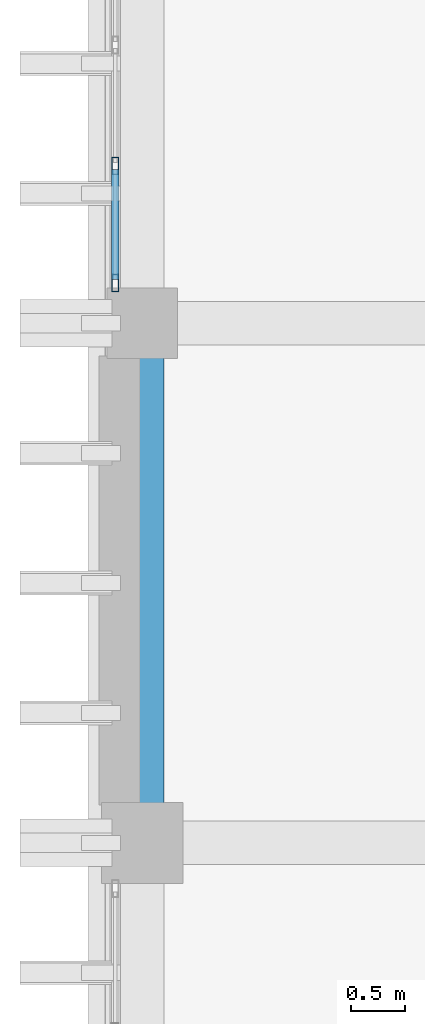
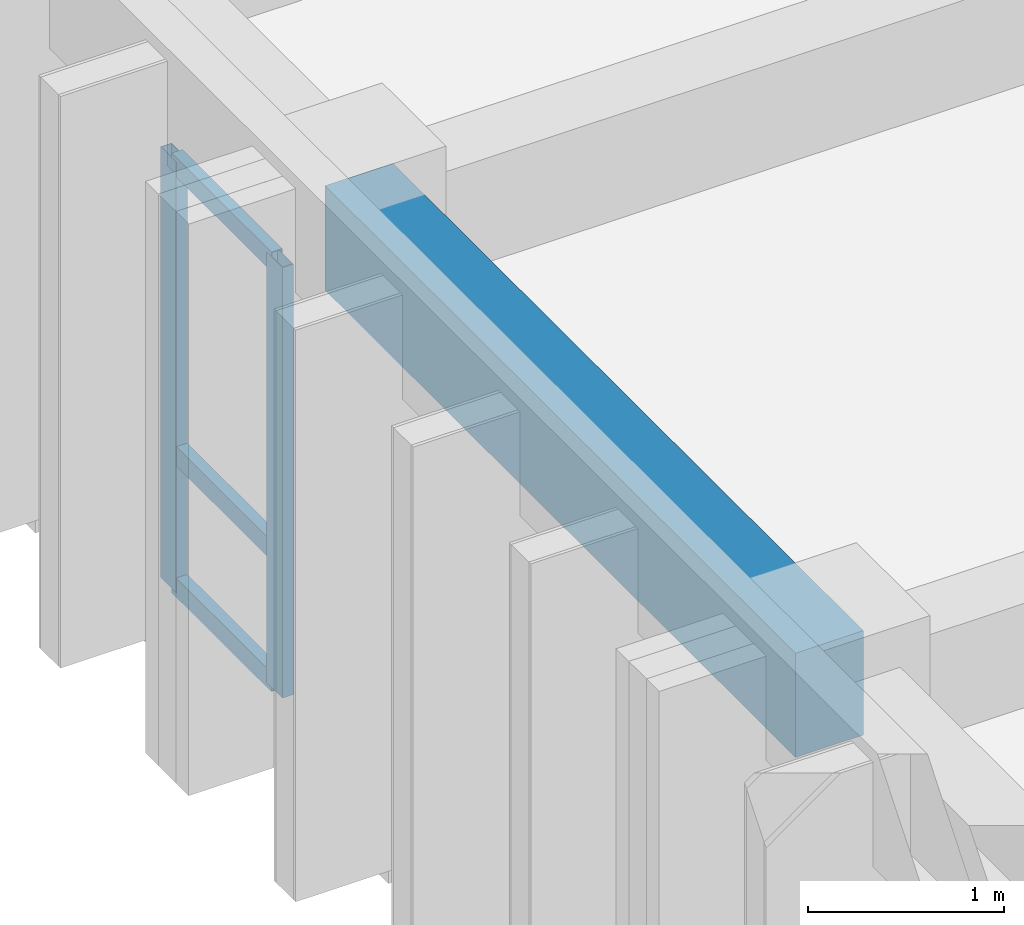
# One storey, part 42 of 64: 5 members, 1 beam, 1 element without a shape of its own.
"""IFC4 building model written with IfcOpenShell, lengths in metres."""

import ifcopenshell
import ifcopenshell.guid

model = None  # the IFC model being written
_history = None  # IfcOwnerHistory: only IFC2X3 demands one
_inside = {}  # id of a spatial element -> (the spatial element, [elements in it])
_under = {}  # id of a project, library or spatial element -> (it, [spatial elements below it])
_declared = {}  # id of a project -> (the project, [libraries it declares])
_typed = {}  # id of a type object -> (the type object, [elements of that type])
_made_of = {}  # id of a material, layer set ... -> (it, [elements and type objects made of it])


def new_model(schema):
    """Start an empty IFC model of exactly this schema.

    Asked for "IFC4X3", IfcOpenShell would pick the latest addendum, in which some entities
    have other attributes; the version numbers below select the first issue.
    IFC2X3 requires an IfcOwnerHistory on every rooted entity: one is made here for all.
    """
    global model, _history
    if schema == "IFC4X3":
        model = ifcopenshell.file(schema_version=(4, 3, 0, 0))
    else:
        model = ifcopenshell.file(schema=schema)
    _inside.clear()
    _under.clear()
    _declared.clear()
    _typed.clear()
    _made_of.clear()
    _history = None
    if model.schema == "IFC2X3":
        org = make("IfcOrganization", Name="unknown")
        user = make(
            "IfcPersonAndOrganization",
            ThePerson=make("IfcPerson", FamilyName="unknown"),
            TheOrganization=org,
        )
        app = make(
            "IfcApplication",
            ApplicationDeveloper=org,
            Version="unknown",
            ApplicationFullName="unknown",
            ApplicationIdentifier="unknown",
        )
        _history = make(
            "IfcOwnerHistory",
            OwningUser=user,
            OwningApplication=app,
            ChangeAction="ADDED",
            CreationDate=0,
        )
    return model


def make(cls, **values):
    """One entity of the class cls with the attributes given. An attribute that is None is left unset."""
    return model.create_entity(
        cls, **{name: value for name, value in values.items() if value is not None}
    )


def rooted(cls, **values):
    """An entity with a GlobalId (a new one), such as an element, a storey or a relation."""
    return make(cls, GlobalId=ifcopenshell.guid.new(), OwnerHistory=_history, **values)


def si_unit(unit_type, name, prefix=None):
    """IfcSIUnit, for example si_unit("LENGTHUNIT", "METRE", prefix="MILLI")."""
    return make("IfcSIUnit", UnitType=unit_type, Prefix=prefix, Name=name)


def assignment(units):
    """IfcUnitAssignment: the units of a project."""
    return None if units is None else make("IfcUnitAssignment", Units=units)


def point(xyz):
    """IfcCartesianPoint."""
    return None if xyz is None else make("IfcCartesianPoint", Coordinates=xyz)


def direction(xyz):
    """IfcDirection."""
    return None if xyz is None else make("IfcDirection", DirectionRatios=xyz)


def frame(location, z_axis=None, x_axis=None):
    """IfcAxis2Placement3D, a coordinate frame: its origin and axes. An axis left out is left unset."""
    return make(
        "IfcAxis2Placement3D",
        Location=point(location),
        Axis=direction(z_axis),
        RefDirection=direction(x_axis),
    )


def frame_2d(location, x_axis=None):
    """IfcAxis2Placement2D, a coordinate frame in the plane: its origin and x axis."""
    return make(
        "IfcAxis2Placement2D", Location=point(location), RefDirection=direction(x_axis)
    )


def origin():
    """The frame at (0, 0, 0) with its axes left unset."""
    return frame((0.0, 0.0, 0.0))


def origin_2d():
    """The frame at (0, 0) in the plane with its x axis left unset."""
    return frame_2d((0.0, 0.0))


def place(relative_to, where):
    """IfcLocalPlacement: puts the frame where relative to a parent placement (None: the world)."""
    return make(
        "IfcLocalPlacement", PlacementRelTo=relative_to, RelativePlacement=where
    )


def context(
    kind, dimensions, precision=None, world=None, true_north=None, identifier=None
):
    """IfcGeometricRepresentationContext, for example the 3D "Model" context."""
    return make(
        "IfcGeometricRepresentationContext",
        ContextIdentifier=identifier,
        ContextType=kind,
        CoordinateSpaceDimension=dimensions,
        Precision=precision,
        WorldCoordinateSystem=world,
        TrueNorth=true_north,
    )


def subcontext(parent, identifier, kind, view, scale=None):
    """IfcGeometricRepresentationSubContext, for example "Body" below "Model"."""
    return make(
        "IfcGeometricRepresentationSubContext",
        ContextIdentifier=identifier,
        ContextType=kind,
        ParentContext=parent,
        TargetScale=scale,
        TargetView=view,
    )


def project(units=None, contexts=None):
    """IfcProject with its units and contexts."""
    return rooted(
        "IfcProject",
        Name="project",
        RepresentationContexts=contexts,
        UnitsInContext=assignment(units),
    )


def spatial(cls, under=None, at=None, **own):
    """A site, building, storey or space (cls), placed at a placement, below another one or the project."""
    s = rooted(cls, ObjectPlacement=at, **own)
    if under is not None:
        _under.setdefault(under.id(), (under, []))[1].append(s)
    return s


def profile(cls, at=None, kind="AREA", **sizes):
    """A parametric profile (cls). Its sizes go by their IFC names, for example OverallWidth=200.0."""
    return make(cls, ProfileType=kind, Position=at, **sizes)


def rectangle(**sizes):
    """IfcRectangleProfileDef."""
    return profile("IfcRectangleProfileDef", **sizes)


def hollow_rectangle(**sizes):
    """IfcRectangleHollowProfileDef."""
    return profile("IfcRectangleHollowProfileDef", **sizes)


def extrude(swept, where, along, depth):
    """IfcExtrudedAreaSolid: the profile swept, set in the frame where, extruded along a direction by depth."""
    return make(
        "IfcExtrudedAreaSolid",
        SweptArea=swept,
        Position=where,
        ExtrudedDirection=direction(along),
        Depth=depth,
    )


def shape(context_of_items, identifier, shape_type, items):
    """IfcShapeRepresentation: the items that make up one representation, for example the "Body"."""
    return make(
        "IfcShapeRepresentation",
        ContextOfItems=context_of_items,
        RepresentationIdentifier=identifier,
        RepresentationType=shape_type,
        Items=items,
    )


def material(Name=None, Category=None):
    """IfcMaterial."""
    return make("IfcMaterial", Name=Name, Category=Category)


def layer(
    of_material, thickness, ventilated=None, Name=None, Category=None, Priority=None
):
    """IfcMaterialLayer: one layer of a wall or slab, of a material (None: an air gap)."""
    return make(
        "IfcMaterialLayer",
        Material=of_material,
        LayerThickness=thickness,
        IsVentilated=ventilated,
        Name=Name,
        Category=Category,
        Priority=Priority,
    )


def layer_set(layers, Name=None):
    """IfcMaterialLayerSet."""
    return make("IfcMaterialLayerSet", MaterialLayers=layers, LayerSetName=Name)


def material_profile(
    of_material, cross_section, Name=None, Category=None, Priority=None
):
    """IfcMaterialProfile: a cross section and its material."""
    return make(
        "IfcMaterialProfile",
        Name=Name,
        Material=of_material,
        Profile=cross_section,
        Priority=Priority,
        Category=Category,
    )


def profile_set(profiles, Name=None, composite=None):
    """IfcMaterialProfileSet."""
    return make(
        "IfcMaterialProfileSet",
        Name=Name,
        MaterialProfiles=profiles,
        CompositeProfile=composite,
    )


def made_of(thing, what):
    """Note that an element or type object is made of a material, layer set ...; save() writes the relation."""
    if what is not None:
        _made_of.setdefault(what.id(), (what, []))[1].append(thing)
    return thing


def type_object(cls, material=None, **own):
    """A type object (cls), such as IfcWallType, which elements share."""
    return made_of(rooted(cls, **own), material)


def element(
    cls,
    number,
    at=None,
    inside=None,
    cuts=None,
    type_object=None,
    material=None,
    context=None,
    identifier="Body",
    shape_type=None,
    held_by="IfcProductDefinitionShape",
    body=None,
    shapes=None,
    **own,
):
    """One element of the class cls, such as IfcWall. Its Tag is "e" and its number.

    at: its placement. inside: the storey or other place that contains it. cuts: it is an
    opening in that element (IfcRelVoidsElement). A single representation is given by context,
    identifier, shape_type and body (its items); several are given by shapes. held_by: the class
    of the entity that holds the representations. save() writes the other relations.
    """
    e = rooted(cls, Tag="e%d" % number, ObjectPlacement=at, **own)
    if body is not None:
        shapes = [shape(context, identifier, shape_type, body)]
    if shapes is not None:
        e.Representation = make(held_by, Representations=shapes)
    if inside is not None:
        _inside.setdefault(inside.id(), (inside, []))[1].append(e)
    if cuts is not None:
        rooted(
            "IfcRelVoidsElement", RelatingBuildingElement=cuts, RelatedOpeningElement=e
        )
    if type_object is not None:
        _typed.setdefault(type_object.id(), (type_object, []))[1].append(e)
    return made_of(e, material)


def aggregate(whole, parts):
    """IfcRelAggregates: a whole, such as a stair, and the parts it consists of."""
    return rooted("IfcRelAggregates", RelatingObject=whole, RelatedObjects=parts)


def save(model, path):
    """Write the relations noted so far, then the file.

    IfcRelAggregates (storeys below a building ...), IfcRelContainedInSpatialStructure (elements
    in a storey), IfcRelDefinesByType, IfcRelAssociatesMaterial and IfcRelDeclares: one each for
    every whole, place, type object, material and project.
    """
    for whole, parts in _under.values():
        aggregate(whole, parts)
    for where, things in _inside.values():
        rooted(
            "IfcRelContainedInSpatialStructure",
            RelatedElements=things,
            RelatingStructure=where,
        )
    for kind, things in _typed.values():
        rooted("IfcRelDefinesByType", RelatedObjects=things, RelatingType=kind)
    for what, things in _made_of.values():
        rooted("IfcRelAssociatesMaterial", RelatedObjects=things, RelatingMaterial=what)
    for by, libraries in _declared.values():
        rooted("IfcRelDeclares", RelatingContext=by, RelatedDefinitions=libraries)
    model.write(path)


model = new_model("IFC4")

# Units and contexts
model_context = context("Model", 3, precision=1e-05, world=origin(), true_north=direction((0.0, 1.0)))
body_context = subcontext(model_context, "Body", "Model", "MODEL_VIEW")
ifc_project = project(units=[si_unit("LENGTHUNIT", "METRE"), si_unit("AREAUNIT", "SQUARE_METRE"), si_unit("VOLUMEUNIT", "CUBIC_METRE"), si_unit("PLANEANGLEUNIT", "RADIAN"), si_unit("MASSUNIT", "GRAM", prefix="KILO")], contexts=[model_context])

# Site, building, storey
site_placement = place(None, origin())
site = spatial("IfcSite", under=ifc_project, at=site_placement, CompositionType="ELEMENT")
building_placement = place(site_placement, origin())
building = spatial("IfcBuilding", under=site, at=building_placement, Name="Nakhvara Creek Congress Hotel", CompositionType="ELEMENT")
storey_placement = place(building_placement, frame((0.0, 0.0, 28.199951171875)))
storey = spatial("IfcBuildingStorey", under=building, at=storey_placement, Name="L06", CompositionType="ELEMENT", Elevation=28.199951171875)

# Beam
ifc_material_1 = material(Name="Concrete C40/50", Category="concrete")
ifc_material_profile_1 = material_profile(ifc_material_1, rectangle(XDim=0.39990234375, YDim=0.64990234375, at=origin_2d()), Name="RC-BM 400x650", Category="LoadBearing")
ifc_profile_set_1 = profile_set([ifc_material_profile_1], Name="Concrete C40/50")
beam_type = type_object("IfcBeamType", Name="BM-RC-400X650", PredefinedType="BEAM", material=ifc_profile_set_1)
beam_placement = place(storey_placement, frame((149.449951171875, 115.199951171875, 3.01513671875), z_axis=(0.0, 1.0, 0.0), x_axis=(-1.0, 0.0, 0.0)))
element("IfcBeam", 1, at=beam_placement, inside=storey, type_object=beam_type, Name="Beam B06-L06-2216", PredefinedType="BEAM", context=body_context, shape_type="SweptSolid", body=[
    extrude(rectangle(XDim=0.39990234375, YDim=0.64990234375, at=origin_2d()), origin(), (0.0, 0.0, 1.0), 4.800048828125),
])

# Curtain wall, members
ifc_material_2 = material(Name="Bronze-anodised aluminium AW-6063-T6 and double-silver low-E glass", Category="aluminium")
ifc_layer = layer(ifc_material_2, 0.199951171875)
ifc_layer_set = layer_set([ifc_layer], Name="Bronze-anodised aluminium AW-6063-T6 and double-silver low-E glass")
curtain_wall_type = type_object("IfcCurtainWallType", Name="CW-HTL-UNIT", PredefinedType="USERDEFINED", material=ifc_layer_set)
curtain_wall_placement = place(storey_placement, origin())
curtain_wall = element("IfcCurtainWall", 2, at=curtain_wall_placement, inside=storey, type_object=curtain_wall_type, Name="Curtain Wall CW252", ObjectType="UNITISED", PredefinedType="USERDEFINED")
ifc_material_3 = material(Name="Bronze-anodised aluminium AW-6063-T6", Category="aluminium")
ifc_material_profile_2 = material_profile(ifc_material_3, hollow_rectangle(XDim=0.06494140625, YDim=0.159912109375, WallThickness=0.00390625, at=origin_2d()), Name="ALU-MULL 65x160x4", Category="LoadBearing")
ifc_profile_set_2 = profile_set([ifc_material_profile_2], Name="Bronze-anodised aluminium AW-6063-T6")
member_type_1 = type_object("IfcMemberType", Name="CW-MULL-160", PredefinedType="MULLION", material=ifc_profile_set_2)
member_1_placement = place(storey_placement, frame((149.199951171875, 120.37255859375, 0.0), z_axis=(0.0, 0.0, 1.0), x_axis=(-1.0, 0.0, 0.0)))
member_1 = element("IfcMember", 3, at=member_1_placement, type_object=member_type_1, Name="CW252 mullion 1", PredefinedType="MULLION", context=body_context, shape_type="SweptSolid", body=[
    extrude(hollow_rectangle(XDim=0.06494140625, YDim=0.159912109375, WallThickness=0.00390625, at=origin_2d()), origin(), (0.0, 0.0, 1.0), 2.68212890625),
])
member_2_placement = place(storey_placement, frame((149.199951171875, 121.455078125, 0.0), z_axis=(0.0, 0.0, 1.0), x_axis=(-1.0, 0.0, 0.0)))
member_2 = element("IfcMember", 4, at=member_2_placement, type_object=member_type_1, Name="CW252 mullion 2", PredefinedType="MULLION", context=body_context, shape_type="SweptSolid", body=[
    extrude(hollow_rectangle(XDim=0.06494140625, YDim=0.159912109375, WallThickness=0.00390625, at=origin_2d()), origin(), (0.0, 0.0, 1.0), 2.68212890625),
])
ifc_material_profile_3 = material_profile(ifc_material_3, hollow_rectangle(XDim=0.06494140625, YDim=0.1201171875, WallThickness=0.00390625, at=origin_2d()), Name="ALU-TRAN 65x120x4", Category="LoadBearing")
ifc_profile_set_3 = profile_set([ifc_material_profile_3], Name="Bronze-anodised aluminium AW-6063-T6")
member_type_2 = type_object("IfcMemberType", Name="CW-TRAN-120", PredefinedType="USERDEFINED", material=ifc_profile_set_3)
member_3_placement = place(storey_placement, frame((149.199951171875, 120.405029296875, 0.032470703125), z_axis=(0.0, 1.0, 0.0), x_axis=(-1.0, 0.0, 0.0)))
member_3 = element("IfcMember", 5, at=member_3_placement, type_object=member_type_2, Name="CW252 transom 1.1", ObjectType="TRANSOM", PredefinedType="USERDEFINED", context=body_context, shape_type="SweptSolid", body=[
    extrude(hollow_rectangle(XDim=0.06494140625, YDim=0.1201171875, WallThickness=0.00390625, at=origin_2d()), origin(), (0.0, 0.0, 1.0), 1.017578125),
])
member_4_placement = place(storey_placement, frame((149.199951171875, 120.405029296875, 0.85009765625), z_axis=(0.0, 1.0, 0.0), x_axis=(-1.0, 0.0, 0.0)))
member_4 = element("IfcMember", 6, at=member_4_placement, type_object=member_type_2, Name="CW252 transom 1.2", ObjectType="TRANSOM", PredefinedType="USERDEFINED", context=body_context, shape_type="SweptSolid", body=[
    extrude(hollow_rectangle(XDim=0.06494140625, YDim=0.1201171875, WallThickness=0.00390625, at=origin_2d()), origin(), (0.0, 0.0, 1.0), 1.017578125),
])
member_5_placement = place(storey_placement, frame((149.199951171875, 120.405029296875, 2.649658203125), z_axis=(0.0, 1.0, 0.0), x_axis=(-1.0, 0.0, 0.0)))
member_5 = element("IfcMember", 7, at=member_5_placement, type_object=member_type_2, Name="CW252 transom 1.3", ObjectType="TRANSOM", PredefinedType="USERDEFINED", context=body_context, shape_type="SweptSolid", body=[
    extrude(hollow_rectangle(XDim=0.06494140625, YDim=0.1201171875, WallThickness=0.00390625, at=origin_2d()), origin(), (0.0, 0.0, 1.0), 1.017578125),
])
aggregate(curtain_wall, [member_1, member_2, member_3, member_4, member_5])

save(model, "model.ifc")
